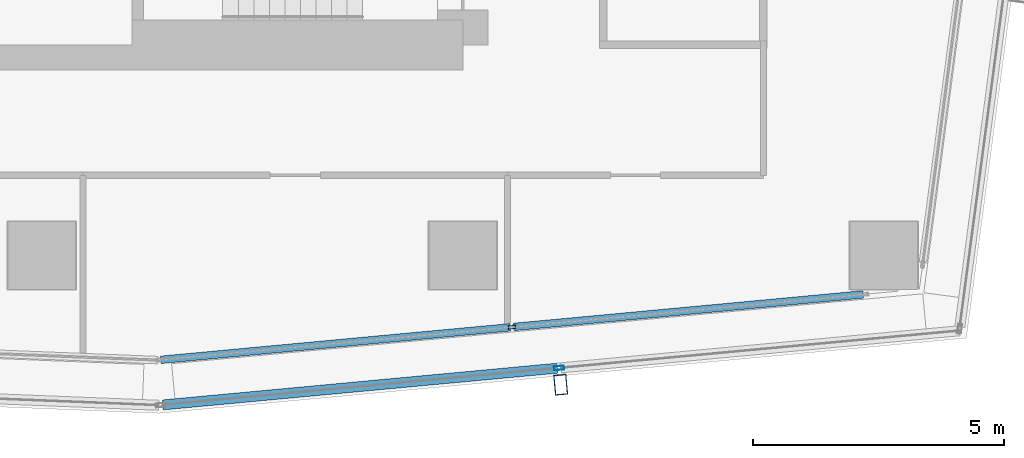
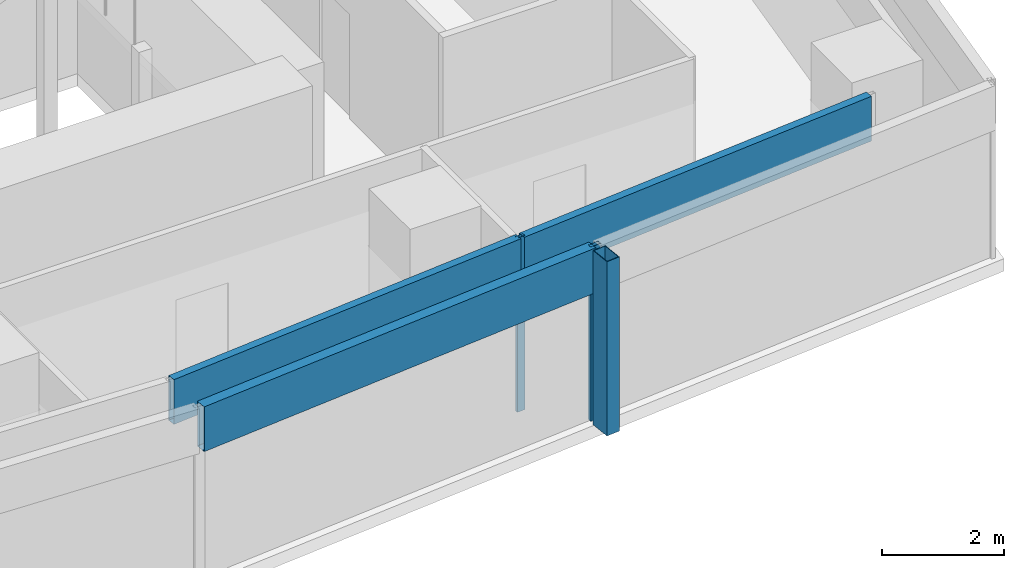
# One storey, part 11 of 39: 6 members, 2 elements without a shape of their own.
"""IFC4 building model written with IfcOpenShell, lengths in metres."""

from ifc_helpers import new_model, si_unit, direction, frame, origin, origin_2d, place, context, subcontext, project, spatial, hollow_rectangle, extrude, material, material_profile, profile_set, type_object, element, aggregate, save


model = new_model("IFC4")

# Units and contexts
model_context = context("Model", 3, precision=1e-05, world=origin(), true_north=direction((0.0, 1.0)))
body_context = subcontext(model_context, "Body", "Model", "MODEL_VIEW")
ifc_project = project(units=[si_unit("LENGTHUNIT", "METRE"), si_unit("AREAUNIT", "SQUARE_METRE"), si_unit("VOLUMEUNIT", "CUBIC_METRE"), si_unit("PLANEANGLEUNIT", "RADIAN"), si_unit("MASSUNIT", "GRAM", prefix="KILO")], contexts=[model_context])

# Site, building, storey
site_placement = place(None, origin())
site = spatial("IfcSite", under=ifc_project, at=site_placement, CompositionType="ELEMENT")
building_placement = place(site_placement, origin())
building = spatial("IfcBuilding", under=site, at=building_placement, Name="Rekha Terrace Tower", CompositionType="ELEMENT")
storey_placement = place(building_placement, frame((0.0, 0.0, 187.699951171875)))
storey = spatial("IfcBuildingStorey", under=building, at=storey_placement, Name="L47", CompositionType="ELEMENT", Elevation=187.699951171875)

# Curtain wall, member
ifc_material_1 = material(Name="Aluminium framing", Category="aluminium")
curtain_wall_type_1 = type_object("IfcCurtainWallType", Name="CW2 double skin outer glazing", PredefinedType="USERDEFINED", material=ifc_material_1)
curtain_wall_1_placement = place(storey_placement, origin())
curtain_wall_1 = element("IfcCurtainWall", 1, at=curtain_wall_1_placement, inside=storey, type_object=curtain_wall_type_1, Name="CW2 double skin outer glazing", ObjectType="DOUBLE SKIN OUTER GLAZING", PredefinedType="USERDEFINED")
ifc_material_2 = material(Name="Steel S355 with fluorocarbon finish", Category="steel")
ifc_material_profile_1 = material_profile(ifc_material_2, hollow_rectangle(XDim=0.25, YDim=0.39990234375, WallThickness=0.012451171875, at=origin_2d()), Name="RHS400x250x12.5")
ifc_profile_set_1 = profile_set([ifc_material_profile_1], Name="Steel S355 with fluorocarbon finish")
member_type_1 = type_object("IfcMemberType", Name="BL1 facade blade RHS 400 x 250", PredefinedType="USERDEFINED", material=ifc_profile_set_1)
member_1_placement = place(storey_placement, frame((52.35302734375, 14.22021484375, 0.0), z_axis=(0.0, 0.0, 1.0), x_axis=(0.995693203185, 0.092709466242, 0.0)))
member_1 = element("IfcMember", 2, at=member_1_placement, type_object=member_type_1, Name="Facade blade", ObjectType="FACADE BLADE", PredefinedType="USERDEFINED", context=body_context, shape_type="SweptSolid", body=[
    extrude(hollow_rectangle(XDim=0.25, YDim=0.39990234375, WallThickness=0.012451171875, at=origin_2d()), origin(), (0.0, 0.0, 1.0), 3.5),
])

# Curtain wall, members
curtain_wall_type_2 = type_object("IfcCurtainWallType", Name="CW1 double skin inner glazing", PredefinedType="USERDEFINED", material=ifc_material_1)
curtain_wall_2_placement = place(storey_placement, origin())
curtain_wall_2 = element("IfcCurtainWall", 3, at=curtain_wall_2_placement, inside=storey, type_object=curtain_wall_type_2, Name="CW1 double skin inner glazing", ObjectType="DOUBLE SKIN INNER GLAZING", PredefinedType="USERDEFINED")
ifc_material_3 = material(Name="Aluminium mullion section", Category="aluminium")
ifc_material_profile_2 = material_profile(ifc_material_3, hollow_rectangle(XDim=0.06494140625, YDim=0.14990234375, WallThickness=0.00390625, at=origin_2d()), Name="AL RHS 65x150")
ifc_profile_set_2 = profile_set([ifc_material_profile_2], Name="Aluminium mullion section")
member_type_2 = type_object("IfcMemberType", Name="CW1 mullion RHS 65 x 150", PredefinedType="MULLION", material=ifc_profile_set_2)
member_2_placement = place(storey_placement, frame((51.3818359375, 15.370361328125, 0.0), z_axis=(0.0, 0.0, 1.0), x_axis=(-0.092708869564, 0.995693258742, 0.0)))
member_2 = element("IfcMember", 4, at=member_2_placement, type_object=member_type_2, Name="CW1 mullion 2", PredefinedType="MULLION", context=body_context, shape_type="SweptSolid", body=[
    extrude(hollow_rectangle(XDim=0.06494140625, YDim=0.14990234375, WallThickness=0.00390625, at=origin_2d()), origin(), (0.0, 0.0, 1.0), 3.5),
])
ifc_material_4 = material(Name="Insulated aluminium spandrel box", Category="aluminium")
ifc_material_profile_3 = material_profile(ifc_material_4, hollow_rectangle(XDim=0.14990234375, YDim=0.89990234375, WallThickness=0.0029296875, at=origin_2d()), Name="AL SPANDREL BOX 150x900")
ifc_profile_set_3 = profile_set([ifc_material_profile_3], Name="Insulated aluminium spandrel box")
member_type_3 = type_object("IfcMemberType", Name="CW1 spandrel transom 150 x 900", PredefinedType="USERDEFINED", material=ifc_profile_set_3)
member_3_placement = place(storey_placement, frame((44.376708984375, 14.718017578125, 3.050048828125), z_axis=(0.995694259474, 0.092698121072, 0.0), x_axis=(-0.092698121072, 0.995694259474, 0.0)))
member_3 = element("IfcMember", 5, at=member_3_placement, type_object=member_type_3, Name="CW1 spandrel transom 1", ObjectType="TRANSOM", PredefinedType="USERDEFINED", context=body_context, shape_type="SweptSolid", body=[
    extrude(hollow_rectangle(XDim=0.14990234375, YDim=0.89990234375, WallThickness=0.0029296875, at=origin_2d()), origin(), (0.0, 0.0, 1.0), 7.003173828125),
])
member_4_placement = place(storey_placement, frame((51.414306640625, 15.373291015625, 3.050048828125), z_axis=(0.995694259474, 0.092698121072, 0.0), x_axis=(-0.092698121072, 0.995694259474, 0.0)))
member_4 = element("IfcMember", 6, at=member_4_placement, type_object=member_type_3, Name="CW1 spandrel transom 2", ObjectType="TRANSOM", PredefinedType="USERDEFINED", context=body_context, shape_type="SweptSolid", body=[
    extrude(hollow_rectangle(XDim=0.14990234375, YDim=0.89990234375, WallThickness=0.0029296875, at=origin_2d()), origin(), (0.0, 0.0, 1.0), 7.003173828125),
])
aggregate(curtain_wall_2, [member_2, member_3, member_4])

# Member
ifc_material_profile_4 = material_profile(ifc_material_3, hollow_rectangle(XDim=0.080078125, YDim=0.199951171875, WallThickness=0.00390625, at=origin_2d()), Name="AL RHS 80x200")
ifc_profile_set_4 = profile_set([ifc_material_profile_4], Name="Aluminium mullion section")
member_type_4 = type_object("IfcMemberType", Name="CW2 mullion RHS 80 x 200", PredefinedType="MULLION", material=ifc_profile_set_4)
member_5_placement = place(storey_placement, frame((52.322021484375, 14.553955078125, 0.0), z_axis=(0.0, 0.0, 1.0), x_axis=(-0.092708869512, 0.995693258747, 0.0)))
member_5 = element("IfcMember", 7, at=member_5_placement, type_object=member_type_4, Name="CW2 mullion 2", PredefinedType="MULLION", context=body_context, shape_type="SweptSolid", body=[
    extrude(hollow_rectangle(XDim=0.080078125, YDim=0.199951171875, WallThickness=0.00390625, at=origin_2d()), origin(), (0.0, 0.0, 1.0), 3.5),
])

ifc_material_profile_5 = material_profile(ifc_material_4, hollow_rectangle(XDim=0.199951171875, YDim=0.89990234375, WallThickness=0.0029296875, at=origin_2d()), Name="AL SPANDREL BOX 200x900")
ifc_profile_set_5 = profile_set([ifc_material_profile_5], Name="Insulated aluminium spandrel box")
member_type_5 = type_object("IfcMemberType", Name="CW2 spandrel transom 200 x 900", PredefinedType="USERDEFINED", material=ifc_profile_set_5)
member_6_placement = place(storey_placement, frame((44.41552734375, 13.817626953125, 3.050048828125), z_axis=(0.995690937161, 0.092733799963, 0.0), x_axis=(-0.092733799963, 0.995690937161, 0.0)))
member_6 = element("IfcMember", 8, at=member_6_placement, type_object=member_type_5, Name="CW2 spandrel transom 1", ObjectType="TRANSOM", PredefinedType="USERDEFINED", context=body_context, shape_type="SweptSolid", body=[
    extrude(hollow_rectangle(XDim=0.199951171875, YDim=0.89990234375, WallThickness=0.0029296875, at=origin_2d()), origin(), (0.0, 0.0, 1.0), 7.900634765625),
])

aggregate(curtain_wall_1, [member_5, member_6, member_1])

save(model, "model.ifc")
